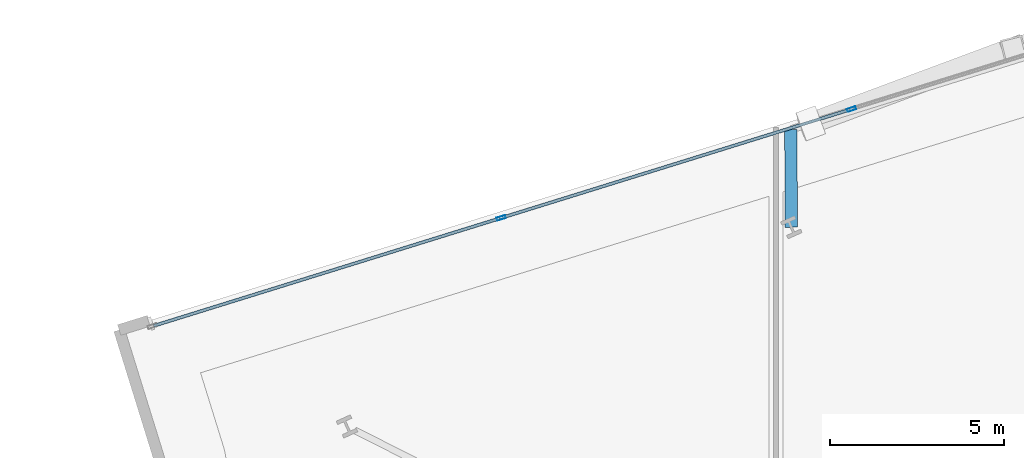
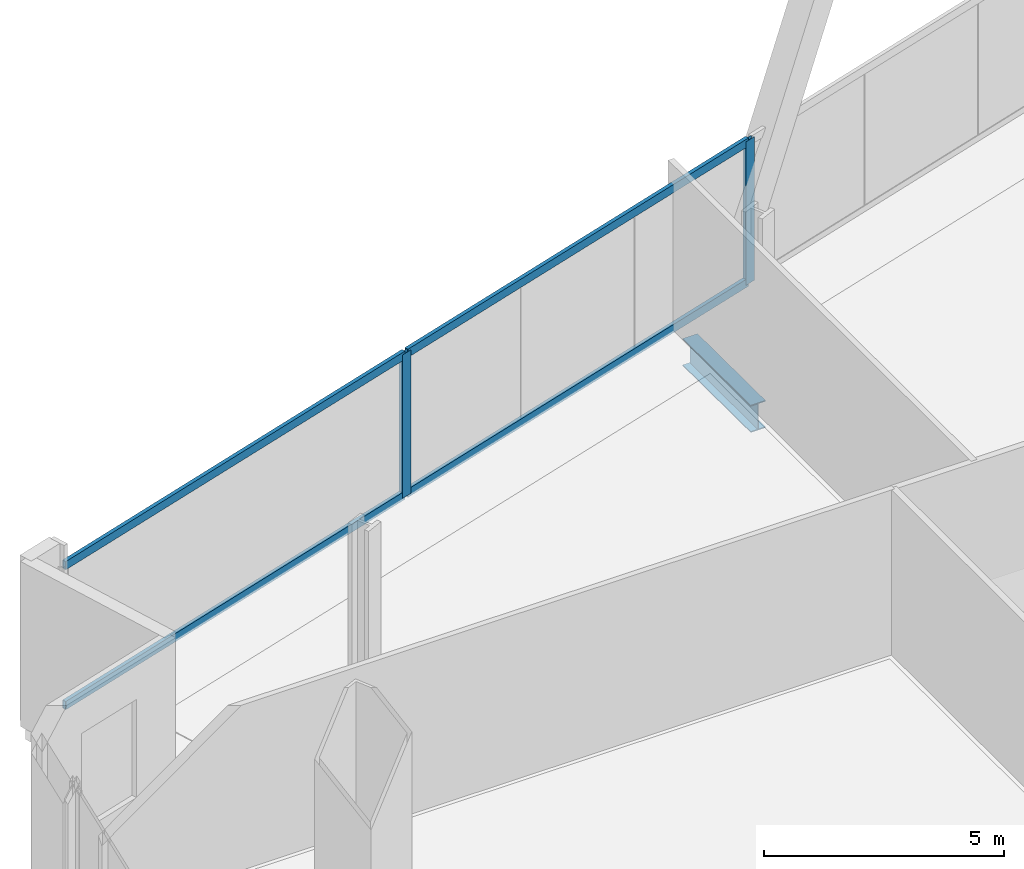
# One storey, part 11 of 26: 6 members, 1 beam, 1 element without a shape of its own.
"""IFC4 building model written with IfcOpenShell, lengths in metres."""

from ifc_helpers import new_model, si_unit, direction, frame, origin, origin_2d, place, context, subcontext, project, spatial, hollow_rectangle, i_section, extrude, material, material_profile, profile_set, type_object, element, aggregate, save


model = new_model("IFC4")

# Units and contexts
model_context = context("Model", 3, precision=1e-05, world=origin(), true_north=direction((0.0, 1.0)))
body_context = subcontext(model_context, "Body", "Model", "MODEL_VIEW")
ifc_project = project(units=[si_unit("LENGTHUNIT", "METRE"), si_unit("AREAUNIT", "SQUARE_METRE"), si_unit("VOLUMEUNIT", "CUBIC_METRE"), si_unit("PLANEANGLEUNIT", "RADIAN"), si_unit("MASSUNIT", "GRAM", prefix="KILO")], contexts=[model_context])

# Site, building, storey
site_placement = place(None, origin())
site = spatial("IfcSite", under=ifc_project, at=site_placement, CompositionType="ELEMENT")
building_placement = place(site_placement, origin())
building = spatial("IfcBuilding", under=site, at=building_placement, Name="Haldenkirk Collegiate Tower", CompositionType="ELEMENT")
storey_placement = place(building_placement, frame((0.0, 0.0, 85.949951171875)))
storey = spatial("IfcBuildingStorey", under=building, at=storey_placement, Name="L20", CompositionType="ELEMENT", Elevation=85.949951171875)

# Beam
ifc_material_1 = material(Name="Steel ASTM A992 Grade 50", Category="steel")
ifc_material_profile_1 = material_profile(ifc_material_1, i_section(OverallWidth=0.35498046875, OverallDepth=0.696044921875, WebThickness=0.015380859375, FlangeThickness=0.02490234375, at=origin_2d()), Name="W27X146")
ifc_profile_set_1 = profile_set([ifc_material_profile_1], Name="Steel ASTM A992 Grade 50")
beam_type = type_object("IfcBeamType", Name="BM-GIRDER-W27X146", PredefinedType="BEAM", material=ifc_profile_set_1)
beam_placement = place(storey_placement, frame((26.937744140625, 46.21142578125, -0.758056640625), z_axis=(-0.005034658412, 0.999987326027, 0.0), x_axis=(-0.999987326027, -0.005034658412, 0.0)))
element("IfcBeam", 1, at=beam_placement, inside=storey, type_object=beam_type, Name="L20 facade lookout girder 12", PredefinedType="BEAM", context=body_context, shape_type="SweptSolid", body=[
    extrude(i_section(OverallWidth=0.35498046875, OverallDepth=0.696044921875, WebThickness=0.015380859375, FlangeThickness=0.02490234375, at=origin_2d()), origin(), (0.0, 0.0, 1.0), 2.8125),
])

# Curtain wall, members
ifc_material_2 = material(Name="Anodised architectural bronze aluminium", Category="aluminium")
curtain_wall_type = type_object("IfcCurtainWallType", Name="CW-SYS4-SKYGARDEN", PredefinedType="USERDEFINED", material=ifc_material_2)
curtain_wall_placement = place(storey_placement, origin())
curtain_wall = element("IfcCurtainWall", 2, at=curtain_wall_placement, inside=storey, type_object=curtain_wall_type, Name="L20 Sky-garden tall bronze curtain wall", ObjectType="UNITISED CURTAIN WALL", PredefinedType="USERDEFINED")
ifc_material_profile_2 = material_profile(ifc_material_2, hollow_rectangle(XDim=0.090087890625, YDim=0.260009765625, WallThickness=0.0048828125, at=origin_2d()), Name="CW-MUL-04")
ifc_profile_set_2 = profile_set([ifc_material_profile_2], Name="Anodised architectural bronze aluminium")
member_type_1 = type_object("IfcMemberType", Name="CW-MUL-04", PredefinedType="MULLION", material=ifc_profile_set_2)
member_1_placement = place(storey_placement, frame((18.593994140625, 46.4794921875, 0.0), z_axis=(0.0, 0.0, 1.0), x_axis=(-0.29654000631, 0.955020431539, 0.0)))
member_1 = element("IfcMember", 3, at=member_1_placement, type_object=member_type_1, Name="CW-04 mullion 2", PredefinedType="MULLION", context=body_context, shape_type="SweptSolid", body=[
    extrude(hollow_rectangle(XDim=0.090087890625, YDim=0.260009765625, WallThickness=0.0048828125, at=origin_2d()), origin(), (0.0, 0.0, 1.0), 3.651123046875),
])
member_2_placement = place(storey_placement, frame((28.66943359375, 49.608154296875, 0.0), z_axis=(0.0, 0.0, 1.0), x_axis=(-0.29654000631, 0.955020431539, 0.0)))
member_2 = element("IfcMember", 4, at=member_2_placement, type_object=member_type_1, Name="CW-04 mullion 3", PredefinedType="MULLION", context=body_context, shape_type="SweptSolid", body=[
    extrude(hollow_rectangle(XDim=0.090087890625, YDim=0.260009765625, WallThickness=0.0048828125, at=origin_2d()), origin(), (0.0, 0.0, 1.0), 3.651123046875),
])
ifc_material_profile_3 = material_profile(ifc_material_2, hollow_rectangle(XDim=0.090087890625, YDim=0.2099609375, WallThickness=0.0048828125, at=origin_2d()), Name="CW-TRN-04")
ifc_profile_set_3 = profile_set([ifc_material_profile_3], Name="Anodised architectural bronze aluminium")
member_type_2 = type_object("IfcMemberType", Name="CW-TRN-04", PredefinedType="USERDEFINED", material=ifc_profile_set_3)
member_3_placement = place(storey_placement, frame((8.6044921875, 43.377685546875, 0.045166015625), z_axis=(0.955016072436, 0.296554044633, 0.0), x_axis=(-0.296554044633, 0.955016072436, 0.0)))
member_3 = element("IfcMember", 5, at=member_3_placement, type_object=member_type_2, Name="CW-04 transom 1.1", ObjectType="TRANSOM", PredefinedType="USERDEFINED", context=body_context, shape_type="SweptSolid", body=[
    extrude(hollow_rectangle(XDim=0.090087890625, YDim=0.2099609375, WallThickness=0.0048828125, at=origin_2d()), origin(), (0.0, 0.0, 1.0), 10.4150390625),
])
member_4_placement = place(storey_placement, frame((8.6044921875, 43.377685546875, 3.60595703125), z_axis=(0.955016072436, 0.296554044633, 0.0), x_axis=(-0.296554044633, 0.955016072436, 0.0)))
member_4 = element("IfcMember", 6, at=member_4_placement, type_object=member_type_2, Name="CW-04 transom 1.2", ObjectType="TRANSOM", PredefinedType="USERDEFINED", context=body_context, shape_type="SweptSolid", body=[
    extrude(hollow_rectangle(XDim=0.090087890625, YDim=0.2099609375, WallThickness=0.0048828125, at=origin_2d()), origin(), (0.0, 0.0, 1.0), 10.4150390625),
])
member_5_placement = place(storey_placement, frame((18.636962890625, 46.492919921875, 0.045166015625), z_axis=(0.955020382089, 0.296540165566, 0.0), x_axis=(-0.296540165566, 0.955020382089, 0.0)))
member_5 = element("IfcMember", 7, at=member_5_placement, type_object=member_type_2, Name="CW-04 transom 2.1", ObjectType="TRANSOM", PredefinedType="USERDEFINED", context=body_context, shape_type="SweptSolid", body=[
    extrude(hollow_rectangle(XDim=0.090087890625, YDim=0.2099609375, WallThickness=0.0048828125, at=origin_2d()), origin(), (0.0, 0.0, 1.0), 10.4599609375),
])
member_6_placement = place(storey_placement, frame((18.636962890625, 46.492919921875, 3.60595703125), z_axis=(0.955020382089, 0.296540165566, 0.0), x_axis=(-0.296540165566, 0.955020382089, 0.0)))
member_6 = element("IfcMember", 8, at=member_6_placement, type_object=member_type_2, Name="CW-04 transom 2.2", ObjectType="TRANSOM", PredefinedType="USERDEFINED", context=body_context, shape_type="SweptSolid", body=[
    extrude(hollow_rectangle(XDim=0.090087890625, YDim=0.2099609375, WallThickness=0.0048828125, at=origin_2d()), origin(), (0.0, 0.0, 1.0), 10.4599609375),
])
aggregate(curtain_wall, [member_1, member_2, member_3, member_4, member_5, member_6])

save(model, "model.ifc")
